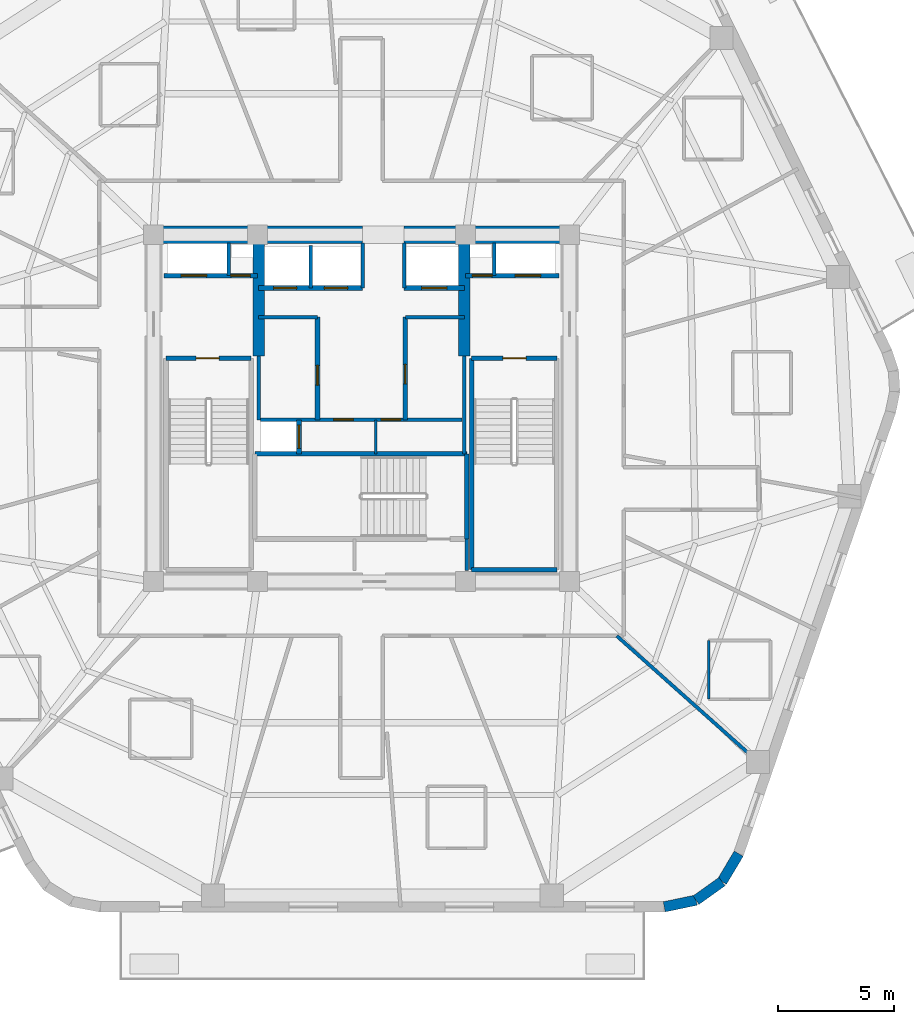
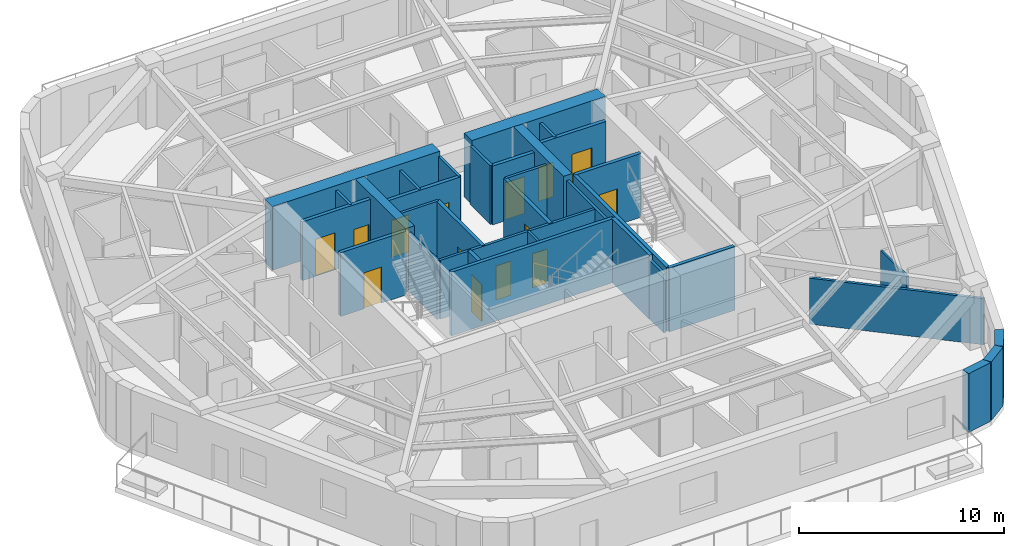
# One storey, part 4 of 10: 34 walls, 14 doors, 14 openings.
"""IFC4 building model written with IfcOpenShell, lengths in metres."""

import ifcopenshell
import ifcopenshell.guid

model = None  # the IFC model being written
_history = None  # IfcOwnerHistory: only IFC2X3 demands one
_inside = {}  # id of a spatial element -> (the spatial element, [elements in it])
_under = {}  # id of a project, library or spatial element -> (it, [spatial elements below it])
_declared = {}  # id of a project -> (the project, [libraries it declares])
_typed = {}  # id of a type object -> (the type object, [elements of that type])
_made_of = {}  # id of a material, layer set ... -> (it, [elements and type objects made of it])


def new_model(schema):
    """Start an empty IFC model of exactly this schema.

    Asked for "IFC4X3", IfcOpenShell would pick the latest addendum, in which some entities
    have other attributes; the version numbers below select the first issue.
    IFC2X3 requires an IfcOwnerHistory on every rooted entity: one is made here for all.
    """
    global model, _history
    if schema == "IFC4X3":
        model = ifcopenshell.file(schema_version=(4, 3, 0, 0))
    else:
        model = ifcopenshell.file(schema=schema)
    _inside.clear()
    _under.clear()
    _declared.clear()
    _typed.clear()
    _made_of.clear()
    _history = None
    if model.schema == "IFC2X3":
        org = make("IfcOrganization", Name="unknown")
        user = make(
            "IfcPersonAndOrganization",
            ThePerson=make("IfcPerson", FamilyName="unknown"),
            TheOrganization=org,
        )
        app = make(
            "IfcApplication",
            ApplicationDeveloper=org,
            Version="unknown",
            ApplicationFullName="unknown",
            ApplicationIdentifier="unknown",
        )
        _history = make(
            "IfcOwnerHistory",
            OwningUser=user,
            OwningApplication=app,
            ChangeAction="ADDED",
            CreationDate=0,
        )
    return model


def make(cls, **values):
    """One entity of the class cls with the attributes given. An attribute that is None is left unset."""
    return model.create_entity(
        cls, **{name: value for name, value in values.items() if value is not None}
    )


def rooted(cls, **values):
    """An entity with a GlobalId (a new one), such as an element, a storey or a relation."""
    return make(cls, GlobalId=ifcopenshell.guid.new(), OwnerHistory=_history, **values)


def si_unit(unit_type, name, prefix=None):
    """IfcSIUnit, for example si_unit("LENGTHUNIT", "METRE", prefix="MILLI")."""
    return make("IfcSIUnit", UnitType=unit_type, Prefix=prefix, Name=name)


def assignment(units):
    """IfcUnitAssignment: the units of a project."""
    return None if units is None else make("IfcUnitAssignment", Units=units)


def point(xyz):
    """IfcCartesianPoint."""
    return None if xyz is None else make("IfcCartesianPoint", Coordinates=xyz)


def direction(xyz):
    """IfcDirection."""
    return None if xyz is None else make("IfcDirection", DirectionRatios=xyz)


def frame(location, z_axis=None, x_axis=None):
    """IfcAxis2Placement3D, a coordinate frame: its origin and axes. An axis left out is left unset."""
    return make(
        "IfcAxis2Placement3D",
        Location=point(location),
        Axis=direction(z_axis),
        RefDirection=direction(x_axis),
    )


def frame_2d(location, x_axis=None):
    """IfcAxis2Placement2D, a coordinate frame in the plane: its origin and x axis."""
    return make(
        "IfcAxis2Placement2D", Location=point(location), RefDirection=direction(x_axis)
    )


def origin():
    """The frame at (0, 0, 0) with its axes left unset."""
    return frame((0.0, 0.0, 0.0))


def place(relative_to, where):
    """IfcLocalPlacement: puts the frame where relative to a parent placement (None: the world)."""
    return make(
        "IfcLocalPlacement", PlacementRelTo=relative_to, RelativePlacement=where
    )


def context(
    kind, dimensions, precision=None, world=None, true_north=None, identifier=None
):
    """IfcGeometricRepresentationContext, for example the 3D "Model" context."""
    return make(
        "IfcGeometricRepresentationContext",
        ContextIdentifier=identifier,
        ContextType=kind,
        CoordinateSpaceDimension=dimensions,
        Precision=precision,
        WorldCoordinateSystem=world,
        TrueNorth=true_north,
    )


def subcontext(parent, identifier, kind, view, scale=None):
    """IfcGeometricRepresentationSubContext, for example "Body" below "Model"."""
    return make(
        "IfcGeometricRepresentationSubContext",
        ContextIdentifier=identifier,
        ContextType=kind,
        ParentContext=parent,
        TargetScale=scale,
        TargetView=view,
    )


def project(units=None, contexts=None):
    """IfcProject with its units and contexts."""
    return rooted(
        "IfcProject",
        Name="project",
        RepresentationContexts=contexts,
        UnitsInContext=assignment(units),
    )


def spatial(cls, under=None, at=None, **own):
    """A site, building, storey or space (cls), placed at a placement, below another one or the project."""
    s = rooted(cls, ObjectPlacement=at, **own)
    if under is not None:
        _under.setdefault(under.id(), (under, []))[1].append(s)
    return s


def profile(cls, at=None, kind="AREA", **sizes):
    """A parametric profile (cls). Its sizes go by their IFC names, for example OverallWidth=200.0."""
    return make(cls, ProfileType=kind, Position=at, **sizes)


def rectangle(**sizes):
    """IfcRectangleProfileDef."""
    return profile("IfcRectangleProfileDef", **sizes)


def extrude(swept, where, along, depth):
    """IfcExtrudedAreaSolid: the profile swept, set in the frame where, extruded along a direction by depth."""
    return make(
        "IfcExtrudedAreaSolid",
        SweptArea=swept,
        Position=where,
        ExtrudedDirection=direction(along),
        Depth=depth,
    )


def shape(context_of_items, identifier, shape_type, items):
    """IfcShapeRepresentation: the items that make up one representation, for example the "Body"."""
    return make(
        "IfcShapeRepresentation",
        ContextOfItems=context_of_items,
        RepresentationIdentifier=identifier,
        RepresentationType=shape_type,
        Items=items,
    )


def material(Name=None, Category=None):
    """IfcMaterial."""
    return make("IfcMaterial", Name=Name, Category=Category)


def layer(
    of_material, thickness, ventilated=None, Name=None, Category=None, Priority=None
):
    """IfcMaterialLayer: one layer of a wall or slab, of a material (None: an air gap)."""
    return make(
        "IfcMaterialLayer",
        Material=of_material,
        LayerThickness=thickness,
        IsVentilated=ventilated,
        Name=Name,
        Category=Category,
        Priority=Priority,
    )


def layer_set(layers, Name=None):
    """IfcMaterialLayerSet."""
    return make("IfcMaterialLayerSet", MaterialLayers=layers, LayerSetName=Name)


def made_of(thing, what):
    """Note that an element or type object is made of a material, layer set ...; save() writes the relation."""
    if what is not None:
        _made_of.setdefault(what.id(), (what, []))[1].append(thing)
    return thing


def type_object(cls, material=None, **own):
    """A type object (cls), such as IfcWallType, which elements share."""
    return made_of(rooted(cls, **own), material)


def element(
    cls,
    number,
    at=None,
    inside=None,
    cuts=None,
    type_object=None,
    material=None,
    context=None,
    identifier="Body",
    shape_type=None,
    held_by="IfcProductDefinitionShape",
    body=None,
    shapes=None,
    **own,
):
    """One element of the class cls, such as IfcWall. Its Tag is "e" and its number.

    at: its placement. inside: the storey or other place that contains it. cuts: it is an
    opening in that element (IfcRelVoidsElement). A single representation is given by context,
    identifier, shape_type and body (its items); several are given by shapes. held_by: the class
    of the entity that holds the representations. save() writes the other relations.
    """
    e = rooted(cls, Tag="e%d" % number, ObjectPlacement=at, **own)
    if body is not None:
        shapes = [shape(context, identifier, shape_type, body)]
    if shapes is not None:
        e.Representation = make(held_by, Representations=shapes)
    if inside is not None:
        _inside.setdefault(inside.id(), (inside, []))[1].append(e)
    if cuts is not None:
        rooted(
            "IfcRelVoidsElement", RelatingBuildingElement=cuts, RelatedOpeningElement=e
        )
    if type_object is not None:
        _typed.setdefault(type_object.id(), (type_object, []))[1].append(e)
    return made_of(e, material)


def fill(opening, filler):
    """IfcRelFillsElement: the door or window that sits in an opening."""
    return rooted(
        "IfcRelFillsElement",
        RelatingOpeningElement=opening,
        RelatedBuildingElement=filler,
    )


def aggregate(whole, parts):
    """IfcRelAggregates: a whole, such as a stair, and the parts it consists of."""
    return rooted("IfcRelAggregates", RelatingObject=whole, RelatedObjects=parts)


def save(model, path):
    """Write the relations noted so far, then the file.

    IfcRelAggregates (storeys below a building ...), IfcRelContainedInSpatialStructure (elements
    in a storey), IfcRelDefinesByType, IfcRelAssociatesMaterial and IfcRelDeclares: one each for
    every whole, place, type object, material and project.
    """
    for whole, parts in _under.values():
        aggregate(whole, parts)
    for where, things in _inside.values():
        rooted(
            "IfcRelContainedInSpatialStructure",
            RelatedElements=things,
            RelatingStructure=where,
        )
    for kind, things in _typed.values():
        rooted("IfcRelDefinesByType", RelatedObjects=things, RelatingType=kind)
    for what, things in _made_of.values():
        rooted("IfcRelAssociatesMaterial", RelatedObjects=things, RelatingMaterial=what)
    for by, libraries in _declared.values():
        rooted("IfcRelDeclares", RelatingContext=by, RelatedDefinitions=libraries)
    model.write(path)


model = new_model("IFC4")

# Units and contexts
model_context = context("Model", 3, precision=1e-05, world=origin(), true_north=direction((0.0, 1.0)))
body_context = subcontext(model_context, "Body", "Model", "MODEL_VIEW")
ifc_project = project(units=[si_unit("LENGTHUNIT", "METRE"), si_unit("AREAUNIT", "SQUARE_METRE"), si_unit("VOLUMEUNIT", "CUBIC_METRE"), si_unit("PLANEANGLEUNIT", "RADIAN"), si_unit("MASSUNIT", "GRAM", prefix="KILO")], contexts=[model_context])

# Site, building, storey
site_placement = place(None, origin())
site = spatial("IfcSite", under=ifc_project, at=site_placement, CompositionType="ELEMENT")
building_placement = place(site_placement, origin())
building = spatial("IfcBuilding", under=site, at=building_placement, Name="Kilnhurst Terrace Hotel", CompositionType="ELEMENT")
storey_placement = place(building_placement, frame((0.0, 0.0, 248.300048828125)))
storey = spatial("IfcBuildingStorey", under=building, at=storey_placement, Name="L62", CompositionType="ELEMENT", Elevation=248.300048828125)

# Walls
ifc_material_1 = material(Name="Precast concrete C40/50", Category="concrete")
ifc_layer_1 = layer(ifc_material_1, 0.449951171875, Name="Precast concrete C40/50")
ifc_layer_set_1 = layer_set([ifc_layer_1], Name="Precast concrete C40/50")
wall_type_1 = type_object("IfcWallType", Name="WL-BRK-450", PredefinedType="SOLIDWALL", material=ifc_layer_set_1)
wall_1_placement = place(storey_placement, frame((13.1015625, -21.574951171875, 0.0), z_axis=(0.0, 0.0, 1.0), x_axis=(0.978757421505, 0.205021730188, 0.0)))
element("IfcWall", 1, at=wall_1_placement, inside=storey, type_object=wall_type_1, Name="L62 Rounded Corner Brick Wall C2.1", PredefinedType="SOLIDWALL", context=body_context, shape_type="SweptSolid", body=[
    extrude(rectangle(XDim=1.40625, YDim=0.449951171875, at=frame_2d((0.703125, 0.0))), origin(), (0.0, 0.0, 1.0), 3.5),
])
wall_2_placement = place(storey_placement, frame((14.47802734375, -21.28662109375, 0.0), z_axis=(0.0, 0.0, 1.0), x_axis=(0.813888518617, 0.58102106611, 0.0)))
element("IfcWall", 2, at=wall_2_placement, inside=storey, type_object=wall_type_1, Name="L62 Rounded Corner Brick Wall C2.2", PredefinedType="SOLIDWALL", context=body_context, shape_type="SweptSolid", body=[
    extrude(rectangle(XDim=1.3828125, YDim=0.449951171875, at=frame_2d((0.69140625, 0.0))), origin(), (0.0, 0.0, 1.0), 3.5),
])
wall_3_placement = place(storey_placement, frame((15.603515625, -20.483154296875, 0.0), z_axis=(0.0, 0.0, 1.0), x_axis=(0.512222149036, 0.858852996756, 0.0)))
element("IfcWall", 3, at=wall_3_placement, inside=storey, type_object=wall_type_1, Name="L62 Rounded Corner Brick Wall C2.3", PredefinedType="SOLIDWALL", context=body_context, shape_type="SweptSolid", body=[
    extrude(rectangle(XDim=1.406494140625, YDim=0.449951171875, at=frame_2d((0.703125, 0.0))), origin(), (0.0, 0.0, 1.0), 3.5),
])
ifc_material_2 = material(Name="Concrete C60/75", Category="concrete")
ifc_layer_2 = layer(ifc_material_2, 0.75, Name="Concrete C60/75")
ifc_layer_set_2 = layer_set([ifc_layer_2], Name="Concrete C60/75")
wall_type_2 = type_object("IfcWallType", Name="WL-CORE-750", PredefinedType="SHEAR", material=ifc_layer_set_2)
wall_4_placement = place(storey_placement, frame((-9.375, 7.5, 0.0), z_axis=(0.0, 0.0, 1.0), x_axis=(1.0, 0.0, 0.0)))
element("IfcWall", 4, at=wall_4_placement, inside=storey, type_object=wall_type_2, Name="L62 Core North West Shear Wall", PredefinedType="SHEAR", context=body_context, shape_type="SweptSolid", body=[
    extrude(rectangle(XDim=9.425048828125, YDim=0.75, at=frame_2d((4.71240234375, 0.0))), origin(), (0.0, 0.0, 1.0), 3.800048828125),
])
wall_5_placement = place(storey_placement, frame((1.85009765625, 7.5, 0.0), z_axis=(0.0, 0.0, 1.0), x_axis=(1.0, 0.0, 0.0)))
element("IfcWall", 5, at=wall_5_placement, inside=storey, type_object=wall_type_2, Name="L62 Core North East Shear Wall", PredefinedType="SHEAR", context=body_context, shape_type="SweptSolid", body=[
    extrude(rectangle(XDim=7.52490234375, YDim=0.75, at=frame_2d((3.762451171875, 0.0))), origin(), (0.0, 0.0, 1.0), 3.800048828125),
])
ifc_layer_3 = layer(ifc_material_2, 0.5, Name="Concrete C60/75")
ifc_layer_set_3 = layer_set([ifc_layer_3], Name="Concrete C60/75")
wall_type_3 = type_object("IfcWallType", Name="WL-CORE-WEB-500", PredefinedType="SHEAR", material=ifc_layer_set_3)
for number, where, z_axis, x_axis, name in (
    (6, (-4.449951171875, 2.25, 0.0), (0.0, 0.0, 1.0), (0.0, 1.0, 0.0), "L62 Core Internal West Shear Web"),
    (7, (4.449951171875, 2.25, 0.0), (0.0, 0.0, 1.0), (0.0, 1.0, 0.0), "L62 Core Internal East Shear Web"),
):
    element("IfcWall", number, at=place(storey_placement, frame(where, z_axis=z_axis, x_axis=x_axis)), inside=storey, type_object=wall_type_3, Name=name, PredefinedType="SHEAR", context=body_context, shape_type="SweptSolid", body=[
        extrude(rectangle(XDim=4.875, YDim=0.5, at=frame_2d((2.4375, 0.0))), origin(), (0.0, 0.0, 1.0), 3.800048828125),
    ])
ifc_material_3 = material(Name="STC-58 Acoustic Twin-Frame Guestroom Demising Partition")
ifc_layer_4 = layer(ifc_material_3, 0.14990234375, Name="STC-58 Acoustic Twin-Frame Guestroom Demising Partition")
ifc_layer_set_4 = layer_set([ifc_layer_4], Name="STC-58 Acoustic Twin-Frame Guestroom Demising Partition")
wall_type_4 = type_object("IfcWallType", Name="WL-DEM-150", PredefinedType="PARTITIONING", material=ifc_layer_set_4)
wall_6_placement = place(storey_placement, frame((11.04833984375, -9.85009765625, 0.0), z_axis=(0.0, 0.0, 1.0), x_axis=(0.746444434655, -0.665447748492, 0.0)))
element("IfcWall", 8, at=wall_6_placement, inside=storey, type_object=wall_type_4, Name="L62 Interior Wall WL-L62-DEM-COL11-16-1", PredefinedType="PARTITIONING", context=body_context, shape_type="SweptSolid", body=[
    extrude(rectangle(XDim=8.732177734375, YDim=0.14990234375, at=frame_2d((4.3662109375, 0.0))), origin(), (0.0, 0.0, 1.0), 2.739990234375),
])
ifc_material_4 = material(Name="120 mm Moisture-Resistant Tile-Backed Bathroom Partition")
ifc_layer_5 = layer(ifc_material_4, 0.1201171875, Name="120 mm Moisture-Resistant Tile-Backed Bathroom Partition")
ifc_layer_set_5 = layer_set([ifc_layer_5], Name="120 mm Moisture-Resistant Tile-Backed Bathroom Partition")
wall_type_5 = type_object("IfcWallType", Name="WL-PART-120", PredefinedType="PARTITIONING", material=ifc_layer_set_5)
wall_7_placement = place(storey_placement, frame((0.6201171875, -1.971923828125, 0.0), z_axis=(0.0, 0.0, 1.0), x_axis=(0.0, 1.0, 0.0)))
element("IfcWall", 9, at=wall_7_placement, inside=storey, type_object=wall_type_5, Name="L62 Interior Wall WL-L62-BOH-C1", PredefinedType="PARTITIONING", context=body_context, shape_type="SweptSolid", body=[
    extrude(rectangle(XDim=1.471923828125, YDim=0.1201171875, at=frame_2d((0.73583984375, 0.0))), origin(), (0.0, 0.0, 1.0), 3.5),
])
wall_8_placement = place(storey_placement, frame((15.02392578125, -10.049072265625, 0.0), z_axis=(0.0, 0.0, 1.0), x_axis=(0.0, -1.0, 0.0)))
element("IfcWall", 10, at=wall_8_placement, inside=storey, type_object=wall_type_5, Name="L62 Interior Wall WL-L62-BTH-16-4", PredefinedType="PARTITIONING", context=body_context, shape_type="SweptSolid", body=[
    extrude(rectangle(XDim=2.5400390625, YDim=0.1201171875, at=frame_2d((1.27001953125, 0.0))), origin(), (0.0, 0.0, 1.0), 3.072265625),
])
ifc_material_5 = material(Name="Fire-Rated Gypsum Shaftliner Assembly")
ifc_layer_6 = layer(ifc_material_5, 0.14990234375, Name="Fire-Rated Gypsum Shaftliner Assembly")
ifc_layer_set_6 = layer_set([ifc_layer_6], Name="Fire-Rated Gypsum Shaftliner Assembly")
wall_type_6 = type_object("IfcWallType", Name="WL-SHAFT-150", PredefinedType="PARTITIONING", material=ifc_layer_set_6)
wall_9_placement = place(storey_placement, frame((4.55810546875, -7.02001953125, 0.0), z_axis=(0.0, 0.0, 1.0), x_axis=(0.0, 1.0, 0.0)))
element("IfcWall", 11, at=wall_9_placement, inside=storey, type_object=wall_type_6, Name="L62 Interior Wall WL-L62-ST3-PSGE", PredefinedType="PARTITIONING", context=body_context, shape_type="SweptSolid", body=[
    extrude(rectangle(XDim=1.362060546875, YDim=0.14990234375, at=frame_2d((0.68115234375, 0.0))), origin(), (0.0, 0.0, 1.0), 3.5),
])
for number, where, z_axis, x_axis, name in (
    (12, (-5.75, 5.739990234375, 0.0), (0.0, 0.0, 1.0), (0.0, 1.0, 0.0), "L62 Interior Wall WL-L62-RIS1-DIV"),
    (13, (5.75, 5.739990234375, 0.0), (0.0, 0.0, 1.0), (0.0, 1.0, 0.0), "L62 Interior Wall WL-L62-RIS2-DIV"),
):
    element("IfcWall", number, at=place(storey_placement, frame(where, z_axis=z_axis, x_axis=x_axis)), inside=storey, type_object=wall_type_6, Name=name, PredefinedType="PARTITIONING", context=body_context, shape_type="SweptSolid", body=[
        extrude(rectangle(XDim=1.409912109375, YDim=0.14990234375, at=frame_2d((0.705078125, 0.0))), origin(), (0.0, 0.0, 1.0), 3.5),
    ])
wall_10_placement = place(storey_placement, frame((-2.199951171875, 5.199951171875, 0.0), z_axis=(0.0, 0.0, 1.0), x_axis=(0.0, 1.0, 0.0)))
element("IfcWall", 14, at=wall_10_placement, inside=storey, type_object=wall_type_6, Name="L62 Interior Wall WL-L62-HR-DIV1", PredefinedType="PARTITIONING", context=body_context, shape_type="SweptSolid", body=[
    extrude(rectangle(XDim=1.85009765625, YDim=0.14990234375, at=frame_2d((0.925048828125, 0.0))), origin(), (0.0, 0.0, 1.0), 3.5),
])
for number, where, z_axis, x_axis, name in (
    (15, (0.050048828125, 5.199951171875, 0.0), (0.0, 0.0, 1.0), (0.0, 1.0, 0.0), "L62 Interior Wall WL-L62-HR-PORTAL-W"),
    (16, (1.85009765625, 5.199951171875, 0.0), (0.0, 0.0, 1.0), (0.0, 1.0, 0.0), "L62 Interior Wall WL-L62-HR-PORTAL-E"),
):
    element("IfcWall", number, at=place(storey_placement, frame(where, z_axis=z_axis, x_axis=x_axis)), inside=storey, type_object=wall_type_6, Name=name, PredefinedType="PARTITIONING", context=body_context, shape_type="SweptSolid", body=[
        extrude(rectangle(XDim=1.949951171875, YDim=0.14990234375, at=frame_2d((0.97509765625, 0.0))), origin(), (0.0, 0.0, 1.0), 3.5),
    ])
wall_11_placement = place(storey_placement, frame((-4.449951171875, -0.5, 0.0), z_axis=(0.0, 0.0, 1.0), x_axis=(0.0, 1.0, 0.0)))
element("IfcWall", 17, at=wall_11_placement, inside=storey, type_object=wall_type_6, Name="L62 Interior Wall WL-L62-XLOB-W", PredefinedType="PARTITIONING", context=body_context, shape_type="SweptSolid", body=[
    extrude(rectangle(XDim=2.75, YDim=0.14990234375, at=frame_2d((1.375, 0.0))), origin(), (0.0, 0.0, 1.0), 3.5),
])
wall_12_placement = place(storey_placement, frame((4.449951171875, -1.971923828125, 0.0), z_axis=(0.0, 0.0, 1.0), x_axis=(0.0, 1.0, 0.0)))
element("IfcWall", 18, at=wall_12_placement, inside=storey, type_object=wall_type_6, Name="L62 Interior Wall WL-L62-XLOB-E", PredefinedType="PARTITIONING", context=body_context, shape_type="SweptSolid", body=[
    extrude(rectangle(XDim=4.221923828125, YDim=0.14990234375, at=frame_2d((2.11083984375, 0.0))), origin(), (0.0, 0.0, 1.0), 3.5),
])
for number, where, z_axis, x_axis, name in (
    (19, (-4.449951171875, 3.93994140625, 0.0), (0.0, 0.0, 1.0), (1.0, 0.0, 0.0), "L62 Interior Wall WL-L62-LR-NORTH"),
    (20, (1.89990234375, 3.93994140625, 0.0), (0.0, 0.0, 1.0), (1.0, 0.0, 0.0), "L62 Interior Wall WL-L62-MR-NORTH"),
):
    element("IfcWall", number, at=place(storey_placement, frame(where, z_axis=z_axis, x_axis=x_axis)), inside=storey, type_object=wall_type_6, Name=name, PredefinedType="PARTITIONING", context=body_context, shape_type="SweptSolid", body=[
        extrude(rectangle(XDim=2.550048828125, YDim=0.14990234375, at=frame_2d((1.27490234375, 0.0))), origin(), (0.0, 0.0, 1.0), 3.5),
    ])

# Wall, openings, doors
wall_13_placement = place(storey_placement, frame((-4.360107421875, -0.489990234375, 0.0), z_axis=(0.0, 0.0, 1.0), x_axis=(1.0, 0.0, 0.0)))
wall_13 = element("IfcWall", 21, at=wall_13_placement, inside=storey, type_object=wall_type_6, Name="L62 Interior Wall WL-L62-BOH-N", PredefinedType="PARTITIONING", context=body_context, shape_type="SweptSolid", body=[
    extrude(rectangle(XDim=8.72021484375, YDim=0.14990234375, at=frame_2d((4.360107421875, 0.0))), origin(), (0.0, 0.0, 1.0), 3.5),
])
opening_1_placement = place(wall_13_placement, frame((3.159912109375, 0.0, 0.0)))
opening_1 = element("IfcOpeningElement", 22, at=opening_1_placement, cuts=wall_13, Name="Opening D-60D", PredefinedType="OPENING", context=body_context, shape_type="SweptSolid", body=[
    extrude(rectangle(XDim=0.85009765625, YDim=2.030029296875, at=frame_2d((0.425048828125, 1.01513671875))), frame((0.0, 0.0849609375, 0.0), z_axis=(0.0, -1.0, 0.0), x_axis=(1.0, 0.0, 0.0)), (0.0, 0.0, 1.0), 0.169921875),
])
opening_2_placement = place(wall_13_placement, frame((5.2099609375, 0.0, 0.0)))
opening_2 = element("IfcOpeningElement", 23, at=opening_2_placement, cuts=wall_13, Name="Opening D-60D", PredefinedType="OPENING", context=body_context, shape_type="SweptSolid", body=[
    extrude(rectangle(XDim=0.85009765625, YDim=2.030029296875, at=frame_2d((0.425048828125, 1.01513671875))), frame((0.0, 0.0849609375, 0.0), z_axis=(0.0, -1.0, 0.0), x_axis=(1.0, 0.0, 0.0)), (0.0, 0.0, 1.0), 0.169921875),
])
ifc_material_6 = material(Name="Painted Hollow Metal Steel ASTM A36 Riser Door", Category="steel")
door_type_1 = type_object("IfcDoorType", Name="DR-FD60-850", OperationType="NOTDEFINED", PredefinedType="DOOR", material=ifc_material_6)
door_1_placement = place(opening_1_placement, origin())
door_1 = element("IfcDoor", 24, at=door_1_placement, inside=storey, type_object=door_type_1, Name="L62 Housekeeping Laundry Door", OperationType="SINGLE_SWING_LEFT", OverallHeight=2.030029296875, OverallWidth=0.85009765625, PredefinedType="DOOR", context=body_context, shape_type="SweptSolid", body=[
    extrude(rectangle(XDim=0.85009765625, YDim=2.030029296875, at=frame_2d((0.425048828125, 1.01513671875))), frame((0.0, 0.02490234375, 0.0), z_axis=(0.0, -1.0, 0.0), x_axis=(1.0, 0.0, 0.0)), (0.0, 0.0, 1.0), 0.050048828125),
])
fill(opening_1, door_1)
door_2_placement = place(opening_2_placement, origin())
door_2 = element("IfcDoor", 25, at=door_2_placement, inside=storey, type_object=door_type_1, Name="L62 Room Service Kitchen Door", OperationType="SINGLE_SWING_RIGHT", OverallHeight=2.030029296875, OverallWidth=0.85009765625, PredefinedType="DOOR", context=body_context, shape_type="SweptSolid", body=[
    extrude(rectangle(XDim=0.85009765625, YDim=2.030029296875, at=frame_2d((0.425048828125, 1.01513671875))), frame((0.0, 0.02490234375, 0.0), z_axis=(0.0, -1.0, 0.0), x_axis=(1.0, 0.0, 0.0)), (0.0, 0.0, 1.0), 0.050048828125),
])
fill(opening_2, door_2)

ifc_material_7 = material(Name="Autoclaved Aerated Concrete C30/37 and Gypsum Shaft Assembly", Category="concrete")
ifc_layer_7 = layer(ifc_material_7, 0.199951171875, Name="Autoclaved Aerated Concrete C30/37 and Gypsum Shaft Assembly")
ifc_layer_set_7 = layer_set([ifc_layer_7], Name="Autoclaved Aerated Concrete C30/37 and Gypsum Shaft Assembly")
wall_type_7 = type_object("IfcWallType", Name="WL-SHAFT-200", PredefinedType="PARTITIONING", material=ifc_layer_set_7)
wall_14_placement = place(storey_placement, frame((-8.550048828125, 5.739990234375, 0.0), z_axis=(0.0, 0.0, 1.0), x_axis=(1.0, 0.0, 0.0)))
wall_14 = element("IfcWall", 26, at=wall_14_placement, inside=storey, type_object=wall_type_7, Name="L62 Interior Wall WL-L62-FSAE1-S", PredefinedType="PARTITIONING", context=body_context, shape_type="SweptSolid", body=[
    extrude(rectangle(XDim=4.050048828125, YDim=0.199951171875, at=frame_2d((2.02490234375, 0.0))), origin(), (0.0, 0.0, 1.0), 3.5),
])
opening_3_placement = place(wall_14_placement, frame((0.75, 0.0, 0.0)))
opening_3 = element("IfcOpeningElement", 27, at=opening_3_placement, cuts=wall_14, Name="Opening LD-F1", PredefinedType="OPENING", context=body_context, shape_type="SweptSolid", body=[
    extrude(rectangle(XDim=1.10009765625, YDim=2.199951171875, at=frame_2d((0.550048828125, 1.10009765625))), frame((0.0, 0.10986328125, 0.0), z_axis=(0.0, -1.0, 0.0), x_axis=(1.0, 0.0, 0.0)), (0.0, 0.0, 1.0), 0.219970703125),
])
opening_4_placement = place(wall_14_placement, frame((2.89990234375, 0.0, 0.0)))
opening_4 = element("IfcOpeningElement", 28, at=opening_4_placement, cuts=wall_14, Name="Opening D-60D", PredefinedType="OPENING", context=body_context, shape_type="SweptSolid", body=[
    extrude(rectangle(XDim=0.85009765625, YDim=2.030029296875, at=frame_2d((0.425048828125, 1.01513671875))), frame((0.0, 0.10986328125, 0.0), z_axis=(0.0, -1.0, 0.0), x_axis=(1.0, 0.0, 0.0)), (0.0, 0.0, 1.0), 0.219970703125),
])
door_3_placement = place(opening_4_placement, origin())
door_3 = element("IfcDoor", 29, at=door_3_placement, inside=storey, type_object=door_type_1, Name="L62 Electrical Riser Door", OperationType="SINGLE_SWING_LEFT", OverallHeight=2.030029296875, OverallWidth=0.85009765625, PredefinedType="DOOR", context=body_context, shape_type="SweptSolid", body=[
    extrude(rectangle(XDim=0.85009765625, YDim=2.030029296875, at=frame_2d((0.425048828125, 1.01513671875))), frame((0.0, 0.02490234375, 0.0), z_axis=(0.0, -1.0, 0.0), x_axis=(1.0, 0.0, 0.0)), (0.0, 0.0, 1.0), 0.050048828125),
])
fill(opening_4, door_3)
ifc_material_8 = material(Name="Bronze-Anodized Stainless Steel AISI 316L Sliding Door", Category="steel")
door_type_2 = type_object("IfcDoorType", Name="DR-LIFT-1100", OperationType="NOTDEFINED", PredefinedType="DOOR", material=ifc_material_8)
door_4_placement = place(opening_3_placement, origin())
door_4 = element("IfcDoor", 30, at=door_4_placement, inside=storey, type_object=door_type_2, Name="L62 FSAE-1 Landing Door", OperationType="SLIDING_TO_LEFT", OverallHeight=2.199951171875, OverallWidth=1.10009765625, PredefinedType="DOOR", context=body_context, shape_type="SweptSolid", body=[
    extrude(rectangle(XDim=1.10009765625, YDim=2.199951171875, at=frame_2d((0.550048828125, 1.10009765625))), frame((0.0, 0.02490234375, 0.0), z_axis=(0.0, -1.0, 0.0), x_axis=(1.0, 0.0, 0.0)), (0.0, 0.0, 1.0), 0.050048828125),
])
fill(opening_3, door_4)

wall_15_placement = place(storey_placement, frame((4.5, 5.739990234375, 0.0), z_axis=(0.0, 0.0, 1.0), x_axis=(1.0, 0.0, 0.0)))
wall_15 = element("IfcWall", 31, at=wall_15_placement, inside=storey, type_object=wall_type_7, Name="L62 Interior Wall WL-L62-FSAE2-S", PredefinedType="PARTITIONING", context=body_context, shape_type="SweptSolid", body=[
    extrude(rectangle(XDim=4.050048828125, YDim=0.199951171875, at=frame_2d((2.02490234375, 0.0))), origin(), (0.0, 0.0, 1.0), 3.5),
])
opening_5_placement = place(wall_15_placement, frame((0.300048828125, 0.0, 0.0)))
opening_5 = element("IfcOpeningElement", 32, at=opening_5_placement, cuts=wall_15, Name="Opening D-60D", PredefinedType="OPENING", context=body_context, shape_type="SweptSolid", body=[
    extrude(rectangle(XDim=0.85009765625, YDim=2.030029296875, at=frame_2d((0.425048828125, 1.01513671875))), frame((0.0, 0.10986328125, 0.0), z_axis=(0.0, -1.0, 0.0), x_axis=(1.0, 0.0, 0.0)), (0.0, 0.0, 1.0), 0.219970703125),
])
opening_6_placement = place(wall_15_placement, frame((2.14990234375, 0.0, 0.0)))
opening_6 = element("IfcOpeningElement", 33, at=opening_6_placement, cuts=wall_15, Name="Opening LD-F2", PredefinedType="OPENING", context=body_context, shape_type="SweptSolid", body=[
    extrude(rectangle(XDim=1.10009765625, YDim=2.199951171875, at=frame_2d((0.550048828125, 1.10009765625))), frame((0.0, 0.10986328125, 0.0), z_axis=(0.0, -1.0, 0.0), x_axis=(1.0, 0.0, 0.0)), (0.0, 0.0, 1.0), 0.219970703125),
])
door_5_placement = place(opening_5_placement, origin())
door_5 = element("IfcDoor", 34, at=door_5_placement, inside=storey, type_object=door_type_1, Name="L62 Telecom Riser Door", OperationType="SINGLE_SWING_RIGHT", OverallHeight=2.030029296875, OverallWidth=0.85009765625, PredefinedType="DOOR", context=body_context, shape_type="SweptSolid", body=[
    extrude(rectangle(XDim=0.85009765625, YDim=2.030029296875, at=frame_2d((0.425048828125, 1.01513671875))), frame((0.0, 0.02490234375, 0.0), z_axis=(0.0, -1.0, 0.0), x_axis=(1.0, 0.0, 0.0)), (0.0, 0.0, 1.0), 0.050048828125),
])
fill(opening_5, door_5)
door_6_placement = place(opening_6_placement, origin())
door_6 = element("IfcDoor", 35, at=door_6_placement, inside=storey, type_object=door_type_2, Name="L62 FSAE-2 Landing Door", OperationType="SLIDING_TO_RIGHT", OverallHeight=2.199951171875, OverallWidth=1.10009765625, PredefinedType="DOOR", context=body_context, shape_type="SweptSolid", body=[
    extrude(rectangle(XDim=1.10009765625, YDim=2.199951171875, at=frame_2d((0.550048828125, 1.10009765625))), frame((0.0, 0.02490234375, 0.0), z_axis=(0.0, -1.0, 0.0), x_axis=(1.0, 0.0, 0.0)), (0.0, 0.0, 1.0), 0.050048828125),
])
fill(opening_6, door_6)

# Wall, opening, door
wall_16_placement = place(storey_placement, frame((-2.699951171875, -1.971923828125, 0.0), z_axis=(0.0, 0.0, 1.0), x_axis=(0.0, 1.0, 0.0)))
wall_16 = element("IfcWall", 36, at=wall_16_placement, inside=storey, type_object=wall_type_7, Name="L62 Interior Wall WL-L62-SRV1-E", PredefinedType="PARTITIONING", context=body_context, shape_type="SweptSolid", body=[
    extrude(rectangle(XDim=1.471923828125, YDim=0.199951171875, at=frame_2d((0.73583984375, 0.0))), origin(), (0.0, 0.0, 1.0), 3.5),
])
opening_7_placement = place(wall_16_placement, frame((0.239990234375, 0.0, 0.0)))
opening_7 = element("IfcOpeningElement", 37, at=opening_7_placement, cuts=wall_16, Name="Opening LD-SV", PredefinedType="OPENING", context=body_context, shape_type="SweptSolid", body=[
    extrude(rectangle(XDim=1.0, YDim=2.199951171875, at=frame_2d((0.5, 1.10009765625))), frame((0.0, 0.10986328125, 0.0), z_axis=(0.0, -1.0, 0.0), x_axis=(1.0, 0.0, 0.0)), (0.0, 0.0, 1.0), 0.219970703125),
])
door_type_3 = type_object("IfcDoorType", Name="DR-LIFT-1000", OperationType="NOTDEFINED", PredefinedType="DOOR", material=ifc_material_8)
door_7_placement = place(opening_7_placement, origin())
door_7 = element("IfcDoor", 38, at=door_7_placement, inside=storey, type_object=door_type_3, Name="L62 Service Lift SRV-1 Landing Door", OperationType="SLIDING_TO_LEFT", OverallHeight=2.199951171875, OverallWidth=1.0, PredefinedType="DOOR", context=body_context, shape_type="SweptSolid", body=[
    extrude(rectangle(XDim=1.0, YDim=2.199951171875, at=frame_2d((0.5, 1.10009765625))), frame((0.0, 0.02490234375, 0.0), z_axis=(0.0, -1.0, 0.0), x_axis=(1.0, 0.0, 0.0)), (0.0, 0.0, 1.0), 0.050048828125),
])
fill(opening_7, door_7)

# Wall, openings, doors
wall_17_placement = place(storey_placement, frame((-4.449951171875, 5.199951171875, 0.0), z_axis=(0.0, 0.0, 1.0), x_axis=(1.0, 0.0, 0.0)))
wall_17 = element("IfcWall", 39, at=wall_17_placement, inside=storey, type_object=wall_type_7, Name="L62 Interior Wall WL-L62-HR-SW", PredefinedType="PARTITIONING", context=body_context, shape_type="SweptSolid", body=[
    extrude(rectangle(XDim=4.5, YDim=0.199951171875, at=frame_2d((2.25, 0.0))), origin(), (0.0, 0.0, 1.0), 3.5),
])
opening_8_placement = place(wall_17_placement, frame((0.64990234375, 0.0, 0.0)))
opening_8 = element("IfcOpeningElement", 40, at=opening_8_placement, cuts=wall_17, Name="Opening LD-HR", PredefinedType="OPENING", context=body_context, shape_type="SweptSolid", body=[
    extrude(rectangle(XDim=1.0, YDim=2.199951171875, at=frame_2d((0.5, 1.10009765625))), frame((0.0, 0.10986328125, 0.0), z_axis=(0.0, -1.0, 0.0), x_axis=(1.0, 0.0, 0.0)), (0.0, 0.0, 1.0), 0.219970703125),
])
opening_9_placement = place(wall_17_placement, frame((2.85009765625, 0.0, 0.0)))
opening_9 = element("IfcOpeningElement", 41, at=opening_9_placement, cuts=wall_17, Name="Opening LD-HS", PredefinedType="OPENING", context=body_context, shape_type="SweptSolid", body=[
    extrude(rectangle(XDim=1.0, YDim=2.199951171875, at=frame_2d((0.5, 1.10009765625))), frame((0.0, 0.10986328125, 0.0), z_axis=(0.0, -1.0, 0.0), x_axis=(1.0, 0.0, 0.0)), (0.0, 0.0, 1.0), 0.219970703125),
])
door_8_placement = place(opening_8_placement, origin())
door_8 = element("IfcDoor", 42, at=door_8_placement, inside=storey, type_object=door_type_3, Name="L62 High Rise Lift HR-1 Landing Door", OperationType="SLIDING_TO_LEFT", OverallHeight=2.199951171875, OverallWidth=1.0, PredefinedType="DOOR", context=body_context, shape_type="SweptSolid", body=[
    extrude(rectangle(XDim=1.0, YDim=2.199951171875, at=frame_2d((0.5, 1.10009765625))), frame((0.0, 0.02490234375, 0.0), z_axis=(0.0, -1.0, 0.0), x_axis=(1.0, 0.0, 0.0)), (0.0, 0.0, 1.0), 0.050048828125),
])
fill(opening_8, door_8)
door_9_placement = place(opening_9_placement, origin())
door_9 = element("IfcDoor", 43, at=door_9_placement, inside=storey, type_object=door_type_3, Name="L62 High Rise Lift HR-3 Landing Door", OperationType="SLIDING_TO_RIGHT", OverallHeight=2.199951171875, OverallWidth=1.0, PredefinedType="DOOR", context=body_context, shape_type="SweptSolid", body=[
    extrude(rectangle(XDim=1.0, YDim=2.199951171875, at=frame_2d((0.5, 1.10009765625))), frame((0.0, 0.02490234375, 0.0), z_axis=(0.0, -1.0, 0.0), x_axis=(1.0, 0.0, 0.0)), (0.0, 0.0, 1.0), 0.050048828125),
])
fill(opening_9, door_9)

# Wall, opening, door
wall_18_placement = place(storey_placement, frame((1.85009765625, 5.199951171875, 0.0), z_axis=(0.0, 0.0, 1.0), x_axis=(1.0, 0.0, 0.0)))
wall_18 = element("IfcWall", 44, at=wall_18_placement, inside=storey, type_object=wall_type_7, Name="L62 Interior Wall WL-L62-HR-SE", PredefinedType="PARTITIONING", context=body_context, shape_type="SweptSolid", body=[
    extrude(rectangle(XDim=2.599853515625, YDim=0.199951171875, at=frame_2d((1.2998046875, 0.0))), origin(), (0.0, 0.0, 1.0), 3.5),
])
opening_10_placement = place(wall_18_placement, frame((0.75, 0.0, 0.0)))
opening_10 = element("IfcOpeningElement", 45, at=opening_10_placement, cuts=wall_18, Name="Opening LD-H2", PredefinedType="OPENING", context=body_context, shape_type="SweptSolid", body=[
    extrude(rectangle(XDim=1.10009765625, YDim=2.199951171875, at=frame_2d((0.550048828125, 1.10009765625))), frame((0.0, 0.10986328125, 0.0), z_axis=(0.0, -1.0, 0.0), x_axis=(1.0, 0.0, 0.0)), (0.0, 0.0, 1.0), 0.219970703125),
])
door_10_placement = place(opening_10_placement, origin())
door_10 = element("IfcDoor", 46, at=door_10_placement, inside=storey, type_object=door_type_2, Name="L62 High Rise Lift HR-2 Landing Door", OperationType="SLIDING_TO_RIGHT", OverallHeight=2.199951171875, OverallWidth=1.10009765625, PredefinedType="DOOR", context=body_context, shape_type="SweptSolid", body=[
    extrude(rectangle(XDim=1.10009765625, YDim=2.199951171875, at=frame_2d((0.550048828125, 1.10009765625))), frame((0.0, 0.02490234375, 0.0), z_axis=(0.0, -1.0, 0.0), x_axis=(1.0, 0.0, 0.0)), (0.0, 0.0, 1.0), 0.050048828125),
])
fill(opening_10, door_10)

wall_19_placement = place(storey_placement, frame((-1.89990234375, -0.5, 0.0), z_axis=(0.0, 0.0, 1.0), x_axis=(0.0, 1.0, 0.0)))
wall_19 = element("IfcWall", 47, at=wall_19_placement, inside=storey, type_object=wall_type_7, Name="L62 Interior Wall WL-L62-LR-FRONT", PredefinedType="PARTITIONING", context=body_context, shape_type="SweptSolid", body=[
    extrude(rectangle(XDim=4.43994140625, YDim=0.199951171875, at=frame_2d((2.219970703125, 0.0))), origin(), (0.0, 0.0, 1.0), 3.5),
])
opening_11_placement = place(wall_19_placement, frame((1.5, 0.0, 0.0)))
opening_11 = element("IfcOpeningElement", 48, at=opening_11_placement, cuts=wall_19, Name="Opening D-60D", PredefinedType="OPENING", context=body_context, shape_type="SweptSolid", body=[
    extrude(rectangle(XDim=0.85009765625, YDim=2.030029296875, at=frame_2d((0.425048828125, 1.01513671875))), frame((0.0, 0.10986328125, 0.0), z_axis=(0.0, -1.0, 0.0), x_axis=(1.0, 0.0, 0.0)), (0.0, 0.0, 1.0), 0.219970703125),
])
door_11_placement = place(opening_11_placement, origin())
door_11 = element("IfcDoor", 49, at=door_11_placement, inside=storey, type_object=door_type_1, Name="L62 Reclaimed Linen Room Door", OperationType="SINGLE_SWING_LEFT", OverallHeight=2.030029296875, OverallWidth=0.85009765625, PredefinedType="DOOR", context=body_context, shape_type="SweptSolid", body=[
    extrude(rectangle(XDim=0.85009765625, YDim=2.030029296875, at=frame_2d((0.425048828125, 1.01513671875))), frame((0.0, 0.02490234375, 0.0), z_axis=(0.0, -1.0, 0.0), x_axis=(1.0, 0.0, 0.0)), (0.0, 0.0, 1.0), 0.050048828125),
])
fill(opening_11, door_11)

wall_20_placement = place(storey_placement, frame((1.89990234375, -0.5, 0.0), z_axis=(0.0, 0.0, 1.0), x_axis=(0.0, 1.0, 0.0)))
wall_20 = element("IfcWall", 50, at=wall_20_placement, inside=storey, type_object=wall_type_7, Name="L62 Interior Wall WL-L62-MR-FRONT", PredefinedType="PARTITIONING", context=body_context, shape_type="SweptSolid", body=[
    extrude(rectangle(XDim=4.43994140625, YDim=0.199951171875, at=frame_2d((2.219970703125, 0.0))), origin(), (0.0, 0.0, 1.0), 3.5),
])
opening_12_placement = place(wall_20_placement, frame((1.550048828125, 0.0, 0.0)))
opening_12 = element("IfcOpeningElement", 51, at=opening_12_placement, cuts=wall_20, Name="Opening D-60D", PredefinedType="OPENING", context=body_context, shape_type="SweptSolid", body=[
    extrude(rectangle(XDim=0.85009765625, YDim=2.030029296875, at=frame_2d((0.425048828125, 1.01513671875))), frame((0.0, 0.10986328125, 0.0), z_axis=(0.0, -1.0, 0.0), x_axis=(1.0, 0.0, 0.0)), (0.0, 0.0, 1.0), 0.219970703125),
])
door_12_placement = place(opening_12_placement, origin())
door_12 = element("IfcDoor", 52, at=door_12_placement, inside=storey, type_object=door_type_1, Name="L62 Staff Accessible Restroom Door", OperationType="SINGLE_SWING_RIGHT", OverallHeight=2.030029296875, OverallWidth=0.85009765625, PredefinedType="DOOR", context=body_context, shape_type="SweptSolid", body=[
    extrude(rectangle(XDim=0.85009765625, YDim=2.030029296875, at=frame_2d((0.425048828125, 1.01513671875))), frame((0.0, 0.02490234375, 0.0), z_axis=(0.0, -1.0, 0.0), x_axis=(1.0, 0.0, 0.0)), (0.0, 0.0, 1.0), 0.050048828125),
])
fill(opening_12, door_12)

ifc_material_9 = material(Name="Concrete C50/60", Category="concrete")
ifc_layer_8 = layer(ifc_material_9, 0.199951171875, Name="Concrete C50/60")
ifc_layer_set_8 = layer_set([ifc_layer_8], Name="Concrete C50/60")
wall_type_8 = type_object("IfcWallType", Name="WL-STAIR-RC-200", PredefinedType="SHEAR", material=ifc_layer_set_8)
wall_21_placement = place(storey_placement, frame((-8.4580078125, 2.157958984375, 0.0), z_axis=(0.0, 0.0, 1.0), x_axis=(1.0, 0.0, 0.0)))
wall_21 = element("IfcWall", 53, at=wall_21_placement, inside=storey, type_object=wall_type_8, Name="L62 Structural Stair Shaft Wall WL-L62-ST1-N", PredefinedType="SHEAR", context=body_context, shape_type="SweptSolid", body=[
    extrude(rectangle(XDim=3.68603515625, YDim=0.199951171875, at=frame_2d((1.843017578125, 0.0))), origin(), (0.0, 0.0, 1.0), 3.800048828125),
])
opening_13_placement = place(wall_21_placement, frame((1.300048828125, 0.0, 0.0)))
opening_13 = element("IfcOpeningElement", 54, at=opening_13_placement, cuts=wall_21, Name="Opening D-90B", PredefinedType="OPENING", context=body_context, shape_type="SweptSolid", body=[
    extrude(rectangle(XDim=1.0, YDim=2.14990234375, at=frame_2d((0.5, 1.074951171875))), frame((0.0, 0.10986328125, 0.0), z_axis=(0.0, -1.0, 0.0), x_axis=(1.0, 0.0, 0.0)), (0.0, 0.0, 1.0), 0.219970703125),
])
ifc_material_10 = material(Name="Painted Hollow Metal Steel ASTM A36 Fire Door", Category="steel")
door_type_4 = type_object("IfcDoorType", Name="DR-FD90-1000", OperationType="NOTDEFINED", PredefinedType="DOOR", material=ifc_material_10)
door_13_placement = place(opening_13_placement, origin())
door_13 = element("IfcDoor", 55, at=door_13_placement, inside=storey, type_object=door_type_4, Name="L62 Stair ST-1 Door", OperationType="SINGLE_SWING_LEFT", OverallHeight=2.14990234375, OverallWidth=1.0, PredefinedType="DOOR", context=body_context, shape_type="SweptSolid", body=[
    extrude(rectangle(XDim=1.0, YDim=2.14990234375, at=frame_2d((0.5, 1.074951171875))), frame((0.0, 0.02490234375, 0.0), z_axis=(0.0, -1.0, 0.0), x_axis=(1.0, 0.0, 0.0)), (0.0, 0.0, 1.0), 0.050048828125),
])
fill(opening_13, door_13)

# Walls
wall_22_placement = place(storey_placement, frame((4.77197265625, -6.985107421875, 0.0), z_axis=(0.0, 0.0, 1.0), x_axis=(0.0, 1.0, 0.0)))
element("IfcWall", 56, at=wall_22_placement, inside=storey, type_object=wall_type_8, Name="L62 Structural Stair Shaft Wall WL-L62-ST2-W", PredefinedType="SHEAR", context=body_context, shape_type="SweptSolid", body=[
    extrude(rectangle(XDim=9.14306640625, YDim=0.199951171875, at=frame_2d((4.571533203125, 0.0))), origin(), (0.0, 0.0, 1.0), 3.800048828125),
])
wall_23_placement = place(storey_placement, frame((4.77197265625, -6.985107421875, 0.0), z_axis=(0.0, 0.0, 1.0), x_axis=(1.0, 0.0, 0.0)))
element("IfcWall", 57, at=wall_23_placement, inside=storey, type_object=wall_type_8, Name="L62 Structural Stair Shaft Wall WL-L62-ST2-S", PredefinedType="SHEAR", context=body_context, shape_type="SweptSolid", body=[
    extrude(rectangle(XDim=3.68603515625, YDim=0.199951171875, at=frame_2d((1.843017578125, 0.0))), origin(), (0.0, 0.0, 1.0), 3.800048828125),
])

# Wall, opening, door
wall_24_placement = place(storey_placement, frame((4.77197265625, 2.157958984375, 0.0), z_axis=(0.0, 0.0, 1.0), x_axis=(1.0, 0.0, 0.0)))
wall_24 = element("IfcWall", 58, at=wall_24_placement, inside=storey, type_object=wall_type_8, Name="L62 Structural Stair Shaft Wall WL-L62-ST2-N", PredefinedType="SHEAR", context=body_context, shape_type="SweptSolid", body=[
    extrude(rectangle(XDim=3.68603515625, YDim=0.199951171875, at=frame_2d((1.843017578125, 0.0))), origin(), (0.0, 0.0, 1.0), 3.800048828125),
])
opening_14_placement = place(wall_24_placement, frame((1.35009765625, 0.0, 0.0)))
opening_14 = element("IfcOpeningElement", 59, at=opening_14_placement, cuts=wall_24, Name="Opening D-90B", PredefinedType="OPENING", context=body_context, shape_type="SweptSolid", body=[
    extrude(rectangle(XDim=1.0, YDim=2.14990234375, at=frame_2d((0.5, 1.074951171875))), frame((0.0, 0.10986328125, 0.0), z_axis=(0.0, -1.0, 0.0), x_axis=(1.0, 0.0, 0.0)), (0.0, 0.0, 1.0), 0.219970703125),
])
door_14_placement = place(opening_14_placement, origin())
door_14 = element("IfcDoor", 60, at=door_14_placement, inside=storey, type_object=door_type_4, Name="L62 Stair ST-2 Door", OperationType="SINGLE_SWING_RIGHT", OverallHeight=2.14990234375, OverallWidth=1.0, PredefinedType="DOOR", context=body_context, shape_type="SweptSolid", body=[
    extrude(rectangle(XDim=1.0, YDim=2.14990234375, at=frame_2d((0.5, 1.074951171875))), frame((0.0, 0.02490234375, 0.0), z_axis=(0.0, -1.0, 0.0), x_axis=(1.0, 0.0, 0.0)), (0.0, 0.0, 1.0), 0.050048828125),
])
fill(opening_14, door_14)

# Walls
wall_25_placement = place(storey_placement, frame((-4.60791015625, -1.971923828125, 0.0), z_axis=(0.0, 0.0, 1.0), x_axis=(1.0, 0.0, 0.0)))
element("IfcWall", 61, at=wall_25_placement, inside=storey, type_object=wall_type_8, Name="L62 Structural Stair Shaft Wall WL-L62-ST3-N", PredefinedType="SHEAR", context=body_context, shape_type="SweptSolid", body=[
    extrude(rectangle(XDim=9.166015625, YDim=0.199951171875, at=frame_2d((4.5830078125, 0.0))), origin(), (0.0, 0.0, 1.0), 3.800048828125),
])
wall_26_placement = place(storey_placement, frame((4.55810546875, -5.657958984375, 0.0), z_axis=(0.0, 0.0, 1.0), x_axis=(0.0, 1.0, 0.0)))
element("IfcWall", 62, at=wall_26_placement, inside=storey, type_object=wall_type_8, Name="L62 Structural Stair Shaft Wall WL-L62-ST3-E", PredefinedType="SHEAR", context=body_context, shape_type="SweptSolid", body=[
    extrude(rectangle(XDim=3.68603515625, YDim=0.199951171875, at=frame_2d((1.843017578125, 0.0))), origin(), (0.0, 0.0, 1.0), 3.800048828125),
])

save(model, "model.ifc")
